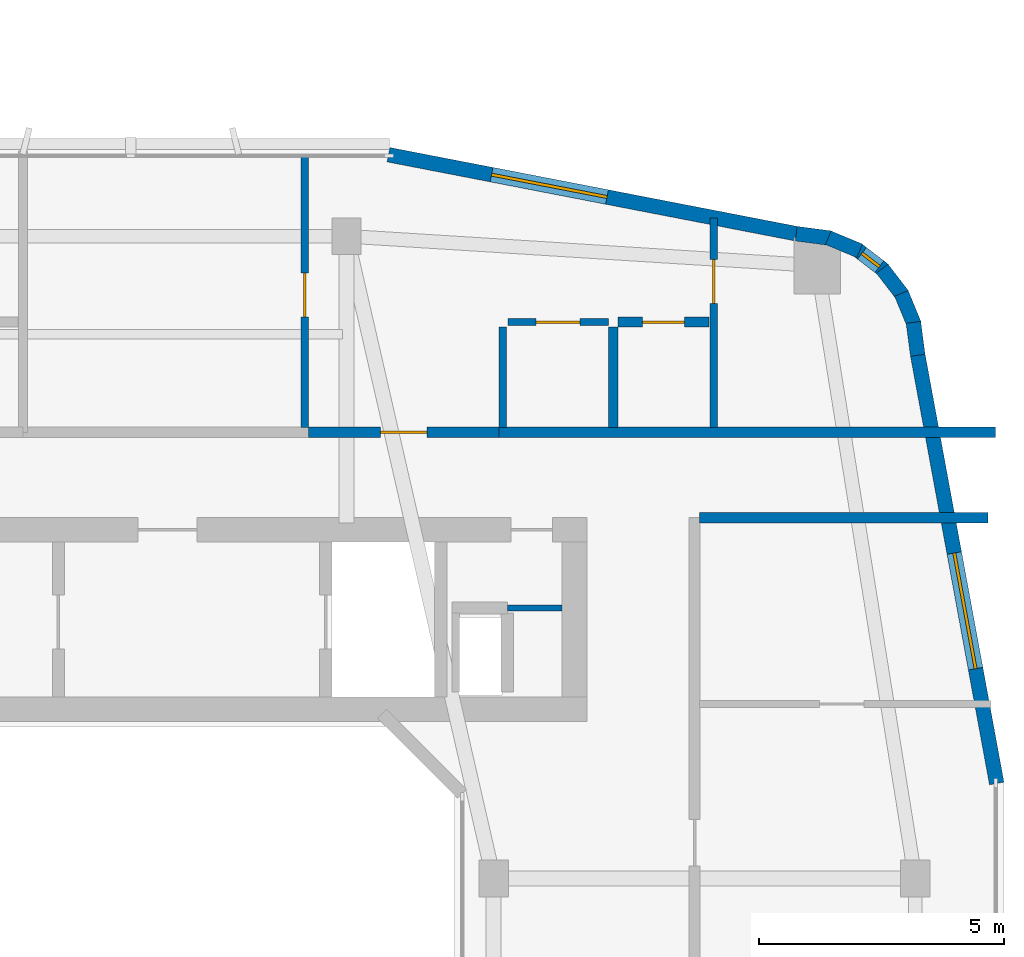
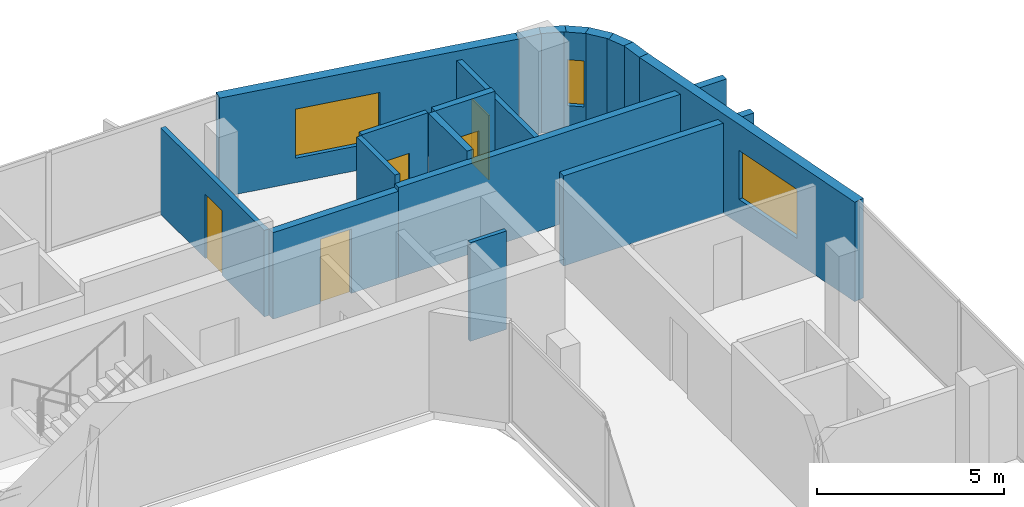
# One storey, part 17 of 24: 18 walls, 5 doors, 3 windows, 8 openings.
"""IFC4 building model written with IfcOpenShell, lengths in metres."""

from ifc_helpers import new_model, si_unit, derived_unit, direction, frame, frame_2d, origin, place, context, subcontext, project, spatial, rectangle, extrude, material, layer, layer_set, type_object, element, fill, save


model = new_model("IFC4")

# Units and contexts
model_context = context("Model", 3, precision=1e-05, world=origin(), true_north=direction((0.0, 1.0)))
body_context = subcontext(model_context, "Body", "Model", "MODEL_VIEW")
ifc_project = project(units=[si_unit("LENGTHUNIT", "METRE"), si_unit("AREAUNIT", "SQUARE_METRE"), si_unit("VOLUMEUNIT", "CUBIC_METRE"), si_unit("PLANEANGLEUNIT", "RADIAN"), si_unit("MASSUNIT", "GRAM", prefix="KILO"), derived_unit("THERMALTRANSMITTANCEUNIT", [(si_unit("POWERUNIT", "WATT"), 1), (si_unit("LENGTHUNIT", "METRE"), -2), (si_unit("THERMODYNAMICTEMPERATUREUNIT", "KELVIN"), -1)])], contexts=[model_context])

# Site, building, storey
site_placement = place(None, origin())
site = spatial("IfcSite", under=ifc_project, at=site_placement, CompositionType="ELEMENT")
building_placement = place(site_placement, origin())
building = spatial("IfcBuilding", under=site, at=building_placement, Name="Kivonza Crest Hotel", CompositionType="ELEMENT")
storey_placement = place(building_placement, frame((0.0, 0.0, 80.0)))
storey = spatial("IfcBuildingStorey", under=building, at=storey_placement, Name="L21", CompositionType="ELEMENT", Elevation=80.0)

# Wall
ifc_material_1 = material(Name="Autoclaved aerated concrete blockwork", Category="masonry")
ifc_layer_1 = layer(ifc_material_1, 0.219970703125)
ifc_layer_set_1 = layer_set([ifc_layer_1], Name="Autoclaved aerated concrete blockwork")
wall_type_1 = type_object("IfcWallType", Name="WL-ACOU-220", PredefinedType="SOLIDWALL", material=ifc_layer_set_1)
wall_1_placement = place(storey_placement, frame((84.510009765625, 37.60009765625, 0.0), z_axis=(0.0, 0.0, 1.0), x_axis=(1.0, 0.0, 0.0)))
element("IfcWall", 1, at=wall_1_placement, inside=storey, type_object=wall_type_1, Name="L21 interior partition WA-L21-A02-RCORR", PredefinedType="SOLIDWALL", context=body_context, shape_type="SweptSolid", body=[
    extrude(rectangle(XDim=10.1298828125, YDim=0.219970703125, at=frame_2d((5.06494140625, 0.0))), origin(), (0.0, 0.0, 1.0), 2.945068359375),
])

# Wall, opening, door
wall_2_placement = place(storey_placement, frame((80.6298828125, 37.60009765625, 0.0), z_axis=(0.0, 0.0, 1.0), x_axis=(1.0, 0.0, 0.0)))
wall_2 = element("IfcWall", 2, at=wall_2_placement, inside=storey, type_object=wall_type_1, Name="L21 interior partition WA-L21-A02-MCORR", PredefinedType="SOLIDWALL", context=body_context, shape_type="SweptSolid", body=[
    extrude(rectangle(XDim=3.880126953125, YDim=0.219970703125, at=frame_2d((1.93994140625, 0.0))), origin(), (0.0, 0.0, 1.0), 2.824951171875),
])
opening_1_placement = place(wall_2_placement, frame((1.465087890625, 0.0, 0.0)))
opening_1 = element("IfcOpeningElement", 3, at=opening_1_placement, cuts=wall_2, Name="Opening DU-60", PredefinedType="OPENING", context=body_context, shape_type="SweptSolid", body=[
    extrude(rectangle(XDim=0.949951171875, YDim=2.10009765625, at=frame_2d((0.47509765625, 1.050048828125))), frame((0.0, 0.1201171875, 0.0), z_axis=(0.0, -1.0, 0.0), x_axis=(1.0, 0.0, 0.0)), (0.0, 0.0, 1.0), 0.239990234375),
])
ifc_material_2 = material(Name="Hardwood timber oak", Category="wood")
door_type_1 = type_object("IfcDoorType", Name="DR-UNIT-950", OperationType="NOTDEFINED", PredefinedType="DOOR", material=ifc_material_2)
door_1_placement = place(opening_1_placement, origin())
door_1 = element("IfcDoor", 4, at=door_1_placement, inside=storey, type_object=door_type_1, Name="L21 A02 apartment entrance fire door", OperationType="SINGLE_SWING_RIGHT", OverallHeight=2.10009765625, OverallWidth=0.949951171875, PredefinedType="DOOR", context=body_context, shape_type="SweptSolid", body=[
    extrude(rectangle(XDim=0.949951171875, YDim=2.10009765625, at=frame_2d((0.47509765625, 1.050048828125))), frame((0.0, 0.02490234375, 0.0), z_axis=(0.0, -1.0, 0.0), x_axis=(1.0, 0.0, 0.0)), (0.0, 0.0, 1.0), 0.050048828125),
])
fill(opening_1, door_1)

# Wall
wall_3_placement = place(storey_placement, frame((88.60009765625, 35.860107421875, 0.0), z_axis=(0.0, 0.0, 1.0), x_axis=(1.0, 0.0, 0.0)))
element("IfcWall", 5, at=wall_3_placement, inside=storey, type_object=wall_type_1, Name="L21 interior partition WA-L21-T2E-ENDN", PredefinedType="SOLIDWALL", context=body_context, shape_type="SweptSolid", body=[
    extrude(rectangle(XDim=5.8798828125, YDim=0.219970703125, at=frame_2d((2.93994140625, 0.0))), origin(), (0.0, 0.0, 1.0), 2.945068359375),
])

# Wall, opening, window
ifc_material_3 = material(Name="Precast concrete C40/50", Category="concrete")
ifc_layer_2 = layer(ifc_material_3, 0.300048828125)
ifc_layer_set_2 = layer_set([ifc_layer_2], Name="Precast concrete C40/50")
wall_type_2 = type_object("IfcWallType", Name="WL-EXT-300", PredefinedType="STANDARD", material=ifc_layer_set_2)
wall_4_placement = place(storey_placement, frame((94.662109375, 30.43896484375, 0.0), z_axis=(0.0, 0.0, 1.0), x_axis=(-0.181241420611, 0.983438634311, 0.0)))
wall_4 = element("IfcWall", 6, at=wall_4_placement, inside=storey, type_object=wall_type_2, Name="L21 T2 exterior insulated wall 18", PredefinedType="STANDARD", context=body_context, shape_type="SweptSolid", body=[
    extrude(rectangle(XDim=8.88916015625, YDim=0.300048828125, at=frame_2d((4.444580078125, 0.0))), origin(), (0.0, 0.0, 1.0), 3.25),
])
opening_2_placement = place(wall_4_placement, frame((2.3798828125, 0.0, 0.800048828125)))
opening_2 = element("IfcOpeningElement", 7, at=opening_2_placement, cuts=wall_4, Name="Opening WN-05", PredefinedType="OPENING", context=body_context, shape_type="SweptSolid", body=[
    extrude(rectangle(XDim=2.39990234375, YDim=1.60009765625, at=frame_2d((1.199951171875, 0.800048828125))), frame((0.0, 0.16015625, 0.0), z_axis=(0.0, -1.0, 0.0), x_axis=(1.0, 0.0, 0.0)), (0.0, 0.0, 1.0), 0.320068359375),
])
ifc_material_4 = material(Name="Thermally broken bronze aluminium and low-E double glazing", Category="aluminium")
window_type_1 = type_object("IfcWindowType", Name="WN-240x160", PartitioningType="TRIPLE_PANEL_VERTICAL", PredefinedType="WINDOW", material=ifc_material_4)
window_1_placement = place(opening_2_placement, origin())
window_1 = element("IfcWindow", 8, at=window_1_placement, inside=storey, type_object=window_type_1, Name="L21 T2 facade window 18", OverallHeight=1.60009765625, OverallWidth=2.39990234375, PartitioningType="SINGLE_PANEL", PredefinedType="WINDOW", context=body_context, shape_type="SweptSolid", body=[
    extrude(rectangle(XDim=2.39990234375, YDim=1.60009765625, at=frame_2d((1.199951171875, 0.800048828125))), frame((0.0, 0.030029296875, 0.0), z_axis=(0.0, -1.0, 0.0), x_axis=(1.0, 0.0, 0.0)), (0.0, 0.0, 1.0), 0.06005859375),
])
fill(opening_2, window_1)

# Walls
wall_5_placement = place(storey_placement, frame((93.052001953125, 39.172119140625, 0.0), z_axis=(0.0, 0.0, 1.0), x_axis=(-0.131667498923, 0.991293937098, 0.0)))
element("IfcWall", 9, at=wall_5_placement, inside=storey, type_object=wall_type_2, Name="L21 T2 exterior insulated wall 19", PredefinedType="STANDARD", context=body_context, shape_type="SweptSolid", body=[
    extrude(rectangle(XDim=0.6767578125, YDim=0.300048828125, at=frame_2d((0.33837890625, 0.0))), origin(), (0.0, 0.0, 1.0), 3.25),
])
wall_6_placement = place(storey_placement, frame((92.98193359375, 39.79296875, 0.0), z_axis=(0.0, 0.0, 1.0), x_axis=(-0.381864727877, 0.92421822618, 0.0)))
element("IfcWall", 10, at=wall_6_placement, inside=storey, type_object=wall_type_2, Name="L21 T2 exterior insulated wall 20", PredefinedType="STANDARD", context=body_context, shape_type="SweptSolid", body=[
    extrude(rectangle(XDim=0.693603515625, YDim=0.300048828125, at=frame_2d((0.3466796875, 0.0))), origin(), (0.0, 0.0, 1.0), 3.25),
])
wall_7_placement = place(storey_placement, frame((92.748046875, 40.388916015625, 0.0), z_axis=(0.0, 0.0, 1.0), x_axis=(-0.609693758543, 0.792637067512, 0.0)))
element("IfcWall", 11, at=wall_7_placement, inside=storey, type_object=wall_type_2, Name="L21 T2 exterior insulated wall 21", PredefinedType="STANDARD", context=body_context, shape_type="SweptSolid", body=[
    extrude(rectangle(XDim=0.69384765625, YDim=0.300048828125, at=frame_2d((0.346923828125, 0.0))), origin(), (0.0, 0.0, 1.0), 3.25),
])

# Wall, opening, window
wall_8_placement = place(storey_placement, frame((92.366943359375, 40.904052734375, 0.0), z_axis=(0.0, 0.0, 1.0), x_axis=(-0.792807092876, 0.609472651958, 0.0)))
wall_8 = element("IfcWall", 12, at=wall_8_placement, inside=storey, type_object=wall_type_2, Name="L21 T2 exterior insulated wall 22", PredefinedType="STANDARD", context=body_context, shape_type="SweptSolid", body=[
    extrude(rectangle(XDim=0.69384765625, YDim=0.300048828125, at=frame_2d((0.346923828125, 0.0))), origin(), (0.0, 0.0, 1.0), 3.25),
])
opening_3_placement = place(wall_8_placement, frame((0.1220703125, 0.0, 0.85009765625)))
opening_3 = element("IfcOpeningElement", 13, at=opening_3_placement, cuts=wall_8, Name="Opening WN-11", PredefinedType="OPENING", context=body_context, shape_type="SweptSolid", body=[
    extrude(rectangle(XDim=0.449951171875, YDim=1.5, at=frame_2d((0.22509765625, 0.75))), frame((0.0, 0.16015625, 0.0), z_axis=(0.0, -1.0, 0.0), x_axis=(1.0, 0.0, 0.0)), (0.0, 0.0, 1.0), 0.320068359375),
])
window_type_2 = type_object("IfcWindowType", Name="WN-045x150", PartitioningType="SINGLE_PANEL", PredefinedType="WINDOW", material=ifc_material_4)
window_2_placement = place(opening_3_placement, origin())
window_2 = element("IfcWindow", 14, at=window_2_placement, inside=storey, type_object=window_type_2, Name="L21 corner vision window 2", OverallHeight=1.5, OverallWidth=0.449951171875, PartitioningType="SINGLE_PANEL", PredefinedType="WINDOW", context=body_context, shape_type="SweptSolid", body=[
    extrude(rectangle(XDim=0.449951171875, YDim=1.5, at=frame_2d((0.22509765625, 0.75))), frame((0.0, 0.030029296875, 0.0), z_axis=(0.0, -1.0, 0.0), x_axis=(1.0, 0.0, 0.0)), (0.0, 0.0, 1.0), 0.06005859375),
])
fill(opening_3, window_2)

# Walls
wall_9_placement = place(storey_placement, frame((91.865966796875, 41.302978515625, 0.0), z_axis=(0.0, 0.0, 1.0), x_axis=(-0.924042561464, 0.382289608286, 0.0)))
element("IfcWall", 15, at=wall_9_placement, inside=storey, type_object=wall_type_2, Name="L21 T2 exterior insulated wall 23", PredefinedType="STANDARD", context=body_context, shape_type="SweptSolid", body=[
    extrude(rectangle(XDim=0.693603515625, YDim=0.300048828125, at=frame_2d((0.3466796875, 0.0))), origin(), (0.0, 0.0, 1.0), 3.25),
])
wall_10_placement = place(storey_placement, frame((91.278076171875, 41.55908203125, 0.0), z_axis=(0.0, 0.0, 1.0), x_axis=(-0.991433279471, 0.130614135366, 0.0)))
element("IfcWall", 16, at=wall_10_placement, inside=storey, type_object=wall_type_2, Name="L21 T2 exterior insulated wall 24", PredefinedType="STANDARD", context=body_context, shape_type="SweptSolid", body=[
    extrude(rectangle(XDim=0.712158203125, YDim=0.300048828125, at=frame_2d((0.35595703125, 0.0))), origin(), (0.0, 0.0, 1.0), 3.25),
])

# Wall, opening, window
wall_11_placement = place(storey_placement, frame((90.5791015625, 41.65087890625, 0.0), z_axis=(0.0, 0.0, 1.0), x_axis=(-0.981750199588, 0.190175039396, 0.0)))
wall_11 = element("IfcWall", 17, at=wall_11_placement, inside=storey, type_object=wall_type_2, Name="L21 T2 exterior insulated wall 25", PredefinedType="STANDARD", context=body_context, shape_type="SweptSolid", body=[
    extrude(rectangle(XDim=8.476806640625, YDim=0.300048828125, at=frame_2d((4.23828125, 0.0))), origin(), (0.0, 0.0, 1.0), 3.25),
])
opening_4_placement = place(wall_11_placement, frame((3.93701171875, 0.0, 0.800048828125)))
opening_4 = element("IfcOpeningElement", 18, at=opening_4_placement, cuts=wall_11, Name="Opening WN-05", PredefinedType="OPENING", context=body_context, shape_type="SweptSolid", body=[
    extrude(rectangle(XDim=2.39990234375, YDim=1.60009765625, at=frame_2d((1.199951171875, 0.800048828125))), frame((0.0, 0.16015625, 0.0), z_axis=(0.0, -1.0, 0.0), x_axis=(1.0, 0.0, 0.0)), (0.0, 0.0, 1.0), 0.320068359375),
])
window_3_placement = place(opening_4_placement, origin())
window_3 = element("IfcWindow", 19, at=window_3_placement, inside=storey, type_object=window_type_1, Name="L21 T2 facade window 25", OverallHeight=1.60009765625, OverallWidth=2.39990234375, PartitioningType="SINGLE_PANEL", PredefinedType="WINDOW", context=body_context, shape_type="SweptSolid", body=[
    extrude(rectangle(XDim=2.39990234375, YDim=1.60009765625, at=frame_2d((1.199951171875, 0.800048828125))), frame((0.0, 0.030029296875, 0.0), z_axis=(0.0, -1.0, 0.0), x_axis=(1.0, 0.0, 0.0)), (0.0, 0.0, 1.0), 0.06005859375),
])
fill(opening_4, window_3)

# Wall
ifc_material_5 = material(Name="Metal-stud gypsum board partition", Category="gypsum")
ifc_layer_3 = layer(ifc_material_5, 0.125)
ifc_layer_set_3 = layer_set([ifc_layer_3], Name="Metal-stud gypsum board partition")
wall_type_3 = type_object("IfcWallType", Name="WL-PART-125", PredefinedType="PARTITIONING", material=ifc_layer_set_3)
wall_12_placement = place(storey_placement, frame((84.679931640625, 34.02001953125, 0.0), z_axis=(0.0, 0.0, 1.0), x_axis=(1.0, 0.0, 0.0)))
element("IfcWall", 20, at=wall_12_placement, inside=storey, type_object=wall_type_3, Name="L21 interior partition WP-L21-T2-N-T2H", PredefinedType="PARTITIONING", context=body_context, shape_type="SweptSolid", body=[
    extrude(rectangle(XDim=1.1201171875, YDim=0.125, at=frame_2d((0.56005859375, 0.0))), origin(), (0.0, 0.0, 1.0), 3.219970703125),
])

# Wall, opening, door
ifc_material_6 = material(Name="Twin-stud acoustic gypsum board partition", Category="gypsum")
ifc_layer_4 = layer(ifc_material_6, 0.14990234375)
ifc_layer_set_4 = layer_set([ifc_layer_4], Name="Twin-stud acoustic gypsum board partition")
wall_type_4 = type_object("IfcWallType", Name="WL-PART-150", PredefinedType="PARTITIONING", material=ifc_layer_set_4)
wall_13_placement = place(storey_placement, frame((80.550048828125, 37.699951171875, 0.0), z_axis=(0.0, 0.0, 1.0), x_axis=(0.0, 1.0, 0.0)))
wall_13 = element("IfcWall", 21, at=wall_13_placement, inside=storey, type_object=wall_type_4, Name="L21 interior partition WP-L21-A02-BDW1", PredefinedType="PARTITIONING", context=body_context, shape_type="SweptSolid", body=[
    extrude(rectangle(XDim=5.5400390625, YDim=0.14990234375, at=frame_2d((2.77001953125, 0.0))), origin(), (0.0, 0.0, 1.0), 2.824951171875),
])
opening_5_placement = place(wall_13_placement, frame((2.25, 0.0, 0.0)))
opening_5 = element("IfcOpeningElement", 22, at=opening_5_placement, cuts=wall_13, Name="Opening DI-90", PredefinedType="OPENING", context=body_context, shape_type="SweptSolid", body=[
    extrude(rectangle(XDim=0.89990234375, YDim=2.10009765625, at=frame_2d((0.449951171875, 1.050048828125))), frame((0.0, 0.0849609375, 0.0), z_axis=(0.0, -1.0, 0.0), x_axis=(1.0, 0.0, 0.0)), (0.0, 0.0, 1.0), 0.169921875),
])
door_type_2 = type_object("IfcDoorType", Name="DR-INT-900", OperationType="NOTDEFINED", PredefinedType="DOOR", material=ifc_material_2)
door_2_placement = place(opening_5_placement, origin())
door_2 = element("IfcDoor", 23, at=door_2_placement, inside=storey, type_object=door_type_2, Name="L21 A02 bedroom 1 door", OperationType="SINGLE_SWING_LEFT", OverallHeight=2.10009765625, OverallWidth=0.89990234375, PredefinedType="DOOR", context=body_context, shape_type="SweptSolid", body=[
    extrude(rectangle(XDim=0.89990234375, YDim=2.10009765625, at=frame_2d((0.449951171875, 1.050048828125))), frame((0.0, 0.02490234375, 0.0), z_axis=(0.0, -1.0, 0.0), x_axis=(1.0, 0.0, 0.0)), (0.0, 0.0, 1.0), 0.050048828125),
])
fill(opening_5, door_2)

wall_14_placement = place(storey_placement, frame((88.889892578125, 37.699951171875, 0.0), z_axis=(0.0, 0.0, 1.0), x_axis=(0.0, 1.0, 0.0)))
wall_14 = element("IfcWall", 24, at=wall_14_placement, inside=storey, type_object=wall_type_4, Name="L21 interior partition WP-L21-A02-BDW2", PredefinedType="PARTITIONING", context=body_context, shape_type="SweptSolid", body=[
    extrude(rectangle(XDim=4.27001953125, YDim=0.14990234375, at=frame_2d((2.135009765625, 0.0))), origin(), (0.0, 0.0, 1.0), 2.945068359375),
])
opening_6_placement = place(wall_14_placement, frame((2.530029296875, 0.0, 0.0)))
opening_6 = element("IfcOpeningElement", 25, at=opening_6_placement, cuts=wall_14, Name="Opening DI-90", PredefinedType="OPENING", context=body_context, shape_type="SweptSolid", body=[
    extrude(rectangle(XDim=0.89990234375, YDim=2.10009765625, at=frame_2d((0.449951171875, 1.050048828125))), frame((0.0, 0.0849609375, 0.0), z_axis=(0.0, -1.0, 0.0), x_axis=(1.0, 0.0, 0.0)), (0.0, 0.0, 1.0), 0.169921875),
])
door_3_placement = place(opening_6_placement, origin())
door_3 = element("IfcDoor", 26, at=door_3_placement, inside=storey, type_object=door_type_2, Name="L21 A02 bedroom 2 door", OperationType="SINGLE_SWING_RIGHT", OverallHeight=2.10009765625, OverallWidth=0.89990234375, PredefinedType="DOOR", context=body_context, shape_type="SweptSolid", body=[
    extrude(rectangle(XDim=0.89990234375, YDim=2.10009765625, at=frame_2d((0.449951171875, 1.050048828125))), frame((0.0, 0.02490234375, 0.0), z_axis=(0.0, -1.0, 0.0), x_axis=(1.0, 0.0, 0.0)), (0.0, 0.0, 1.0), 0.050048828125),
])
fill(opening_6, door_3)

# Wall
wall_15_placement = place(storey_placement, frame((84.590087890625, 37.699951171875, 0.0), z_axis=(0.0, 0.0, 1.0), x_axis=(0.0, 1.0, 0.0)))
element("IfcWall", 27, at=wall_15_placement, inside=storey, type_object=wall_type_4, Name="L21 interior partition WP-L21-A02-KF", PredefinedType="PARTITIONING", context=body_context, shape_type="SweptSolid", body=[
    extrude(rectangle(XDim=2.050048828125, YDim=0.14990234375, at=frame_2d((1.02490234375, 0.0))), origin(), (0.0, 0.0, 1.0), 3.219970703125),
])

# Wall, opening, door
wall_16_placement = place(storey_placement, frame((84.68994140625, 39.85009765625, 0.0), z_axis=(0.0, 0.0, 1.0), x_axis=(1.0, 0.0, 0.0)))
wall_16 = element("IfcWall", 28, at=wall_16_placement, inside=storey, type_object=wall_type_4, Name="L21 interior partition WP-L21-A02-KSVC", PredefinedType="PARTITIONING", context=body_context, shape_type="SweptSolid", body=[
    extrude(rectangle(XDim=2.050048828125, YDim=0.14990234375, at=frame_2d((1.02490234375, 0.0))), origin(), (0.0, 0.0, 1.0), 3.219970703125),
])
opening_7_placement = place(wall_16_placement, frame((0.574951171875, 0.0, 0.0)))
opening_7 = element("IfcOpeningElement", 29, at=opening_7_placement, cuts=wall_16, Name="Opening DI-90", PredefinedType="OPENING", context=body_context, shape_type="SweptSolid", body=[
    extrude(rectangle(XDim=0.89990234375, YDim=2.10009765625, at=frame_2d((0.449951171875, 1.050048828125))), frame((0.0, 0.0849609375, 0.0), z_axis=(0.0, -1.0, 0.0), x_axis=(1.0, 0.0, 0.0)), (0.0, 0.0, 1.0), 0.169921875),
])
door_4_placement = place(opening_7_placement, origin())
door_4 = element("IfcDoor", 30, at=door_4_placement, inside=storey, type_object=door_type_2, Name="L21 A02 apartment kitchen door", OperationType="SINGLE_SWING_RIGHT", OverallHeight=2.10009765625, OverallWidth=0.89990234375, PredefinedType="DOOR", context=body_context, shape_type="SweptSolid", body=[
    extrude(rectangle(XDim=0.89990234375, YDim=2.10009765625, at=frame_2d((0.449951171875, 1.050048828125))), frame((0.0, 0.02490234375, 0.0), z_axis=(0.0, -1.0, 0.0), x_axis=(1.0, 0.0, 0.0)), (0.0, 0.0, 1.0), 0.050048828125),
])
fill(opening_7, door_4)

# Wall
ifc_material_7 = material(Name="Moisture-resistant plumbing chase partition wall", Category="gypsum")
ifc_layer_5 = layer(ifc_material_7, 0.199951171875)
ifc_layer_set_5 = layer_set([ifc_layer_5], Name="Moisture-resistant plumbing chase partition wall")
wall_type_5 = type_object("IfcWallType", Name="WL-PLUMB-200", PredefinedType="PLUMBINGWALL", material=ifc_layer_set_5)
wall_17_placement = place(storey_placement, frame((86.840087890625, 37.699951171875, 0.0), z_axis=(0.0, 0.0, 1.0), x_axis=(0.0, 1.0, 0.0)))
element("IfcWall", 31, at=wall_17_placement, inside=storey, type_object=wall_type_5, Name="L21 interior partition WW-L21-A02-BK", PredefinedType="PLUMBINGWALL", context=body_context, shape_type="SweptSolid", body=[
    extrude(rectangle(XDim=2.050048828125, YDim=0.199951171875, at=frame_2d((1.02490234375, 0.0))), origin(), (0.0, 0.0, 1.0), 3.219970703125),
])

# Wall, opening, door
wall_18_placement = place(storey_placement, frame((86.93994140625, 39.85009765625, 0.0), z_axis=(0.0, 0.0, 1.0), x_axis=(1.0, 0.0, 0.0)))
wall_18 = element("IfcWall", 32, at=wall_18_placement, inside=storey, type_object=wall_type_5, Name="L21 interior partition WW-L21-A02-BSVC", PredefinedType="PLUMBINGWALL", context=body_context, shape_type="SweptSolid", body=[
    extrude(rectangle(XDim=1.85009765625, YDim=0.199951171875, at=frame_2d((0.925048828125, 0.0))), origin(), (0.0, 0.0, 1.0), 3.219970703125),
])
opening_8_placement = place(wall_18_placement, frame((0.5, 0.0, 0.0)))
opening_8 = element("IfcOpeningElement", 33, at=opening_8_placement, cuts=wall_18, Name="Opening DI-85", PredefinedType="OPENING", context=body_context, shape_type="SweptSolid", body=[
    extrude(rectangle(XDim=0.85009765625, YDim=2.10009765625, at=frame_2d((0.425048828125, 1.050048828125))), frame((0.0, 0.10986328125, 0.0), z_axis=(0.0, -1.0, 0.0), x_axis=(1.0, 0.0, 0.0)), (0.0, 0.0, 1.0), 0.219970703125),
])
door_type_3 = type_object("IfcDoorType", Name="DR-INT-850", OperationType="NOTDEFINED", PredefinedType="DOOR", material=ifc_material_2)
door_5_placement = place(opening_8_placement, origin())
door_5 = element("IfcDoor", 34, at=door_5_placement, inside=storey, type_object=door_type_3, Name="L21 A02 apartment bathroom door", OperationType="SINGLE_SWING_LEFT", OverallHeight=2.10009765625, OverallWidth=0.85009765625, PredefinedType="DOOR", context=body_context, shape_type="SweptSolid", body=[
    extrude(rectangle(XDim=0.85009765625, YDim=2.10009765625, at=frame_2d((0.425048828125, 1.050048828125))), frame((0.0, 0.02490234375, 0.0), z_axis=(0.0, -1.0, 0.0), x_axis=(1.0, 0.0, 0.0)), (0.0, 0.0, 1.0), 0.050048828125),
])
fill(opening_8, door_5)

save(model, "model.ifc")
